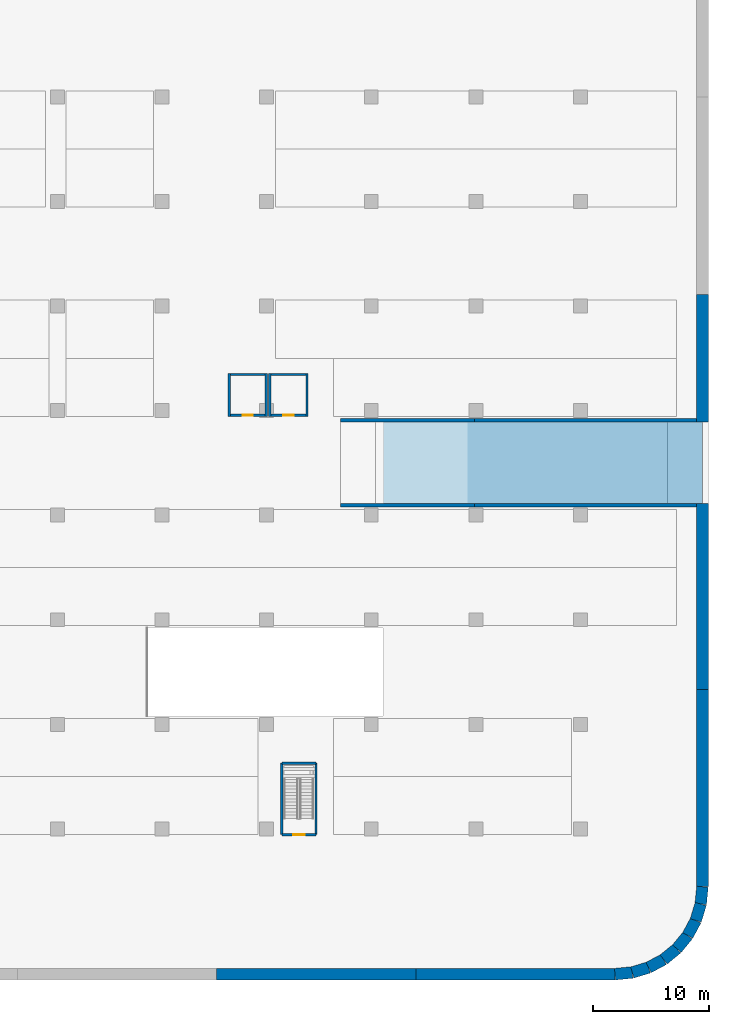
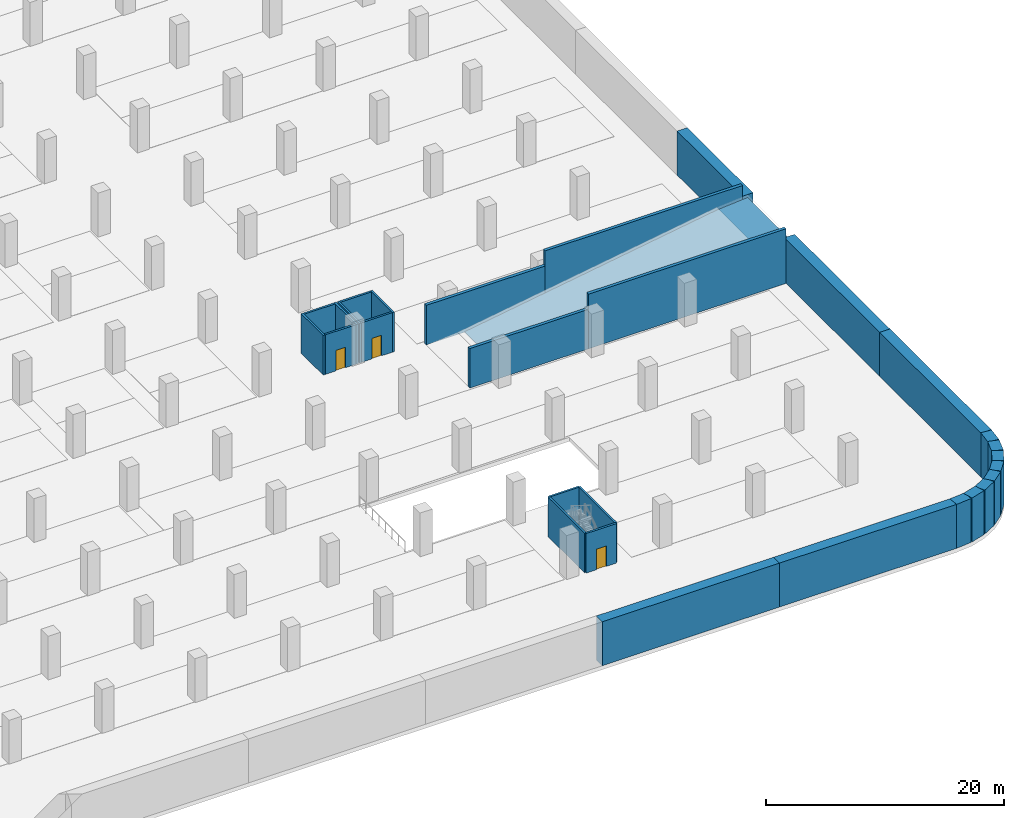
# One storey, part 13 of 34: 30 walls, 3 doors, 3 openings.
"""IFC4 building model written with IfcOpenShell, lengths in metres."""

from ifc_helpers import new_model, si_unit, direction, frame, frame_2d, origin, place, context, subcontext, project, spatial, polyline, rectangle, outline, extrude, material, layer, layer_set, type_object, element, fill, save


model = new_model("IFC4")

# Units and contexts
model_context = context("Model", 3, precision=1e-05, world=origin(), true_north=direction((0.0, 1.0)))
body_context = subcontext(model_context, "Body", "Model", "MODEL_VIEW")
ifc_project = project(units=[si_unit("LENGTHUNIT", "METRE"), si_unit("AREAUNIT", "SQUARE_METRE"), si_unit("VOLUMEUNIT", "CUBIC_METRE"), si_unit("PLANEANGLEUNIT", "RADIAN"), si_unit("MASSUNIT", "GRAM", prefix="KILO")], contexts=[model_context])

# Site, building, storey
site_placement = place(None, origin())
site = spatial("IfcSite", under=ifc_project, at=site_placement, CompositionType="ELEMENT")
building_placement = place(site_placement, origin())
building = spatial("IfcBuilding", under=site, at=building_placement, Name="Ogive Gate Towers", CompositionType="ELEMENT")
storey_placement = place(building_placement, frame((0.0, 0.0, -4.5)))
storey = spatial("IfcBuildingStorey", under=building, at=storey_placement, Name="B1", CompositionType="ELEMENT", Elevation=-4.5)

# Wall, opening, door
ifc_material_1 = material(Name="Reinforced concrete C32/40", Category="concrete")
ifc_layer_1 = layer(ifc_material_1, 0.199951171875)
ifc_layer_set_1 = layer_set([ifc_layer_1], Name="Car park stair shaft wall 200")
wall_type_1 = type_object("IfcWallType", Name="Car park stair shaft wall 200", PredefinedType="SOLIDWALL", material=ifc_layer_set_1)
wall_1_placement = place(storey_placement, frame((94.25, -63.5, 0.0), z_axis=(0.0, 0.0, 1.0), x_axis=(-1.0, 0.0, 0.0)))
wall_1 = element("IfcWall", 1, at=wall_1_placement, inside=storey, type_object=wall_type_1, Name="CS8 stair shaft wall B1 1", PredefinedType="SOLIDWALL", context=body_context, shape_type="SweptSolid", body=[
    extrude(rectangle(XDim=2.949951171875, YDim=0.199951171875, at=frame_2d((1.47509765625, 0.0))), origin(), (0.0, 0.0, 1.0), 4.050048828125),
])
opening_1_placement = place(wall_1_placement, frame((0.97509765625, 0.0, 0.0)))
opening_1 = element("IfcOpeningElement", 2, at=opening_1_placement, cuts=wall_1, Name="Opening CPD38-B1", PredefinedType="OPENING", context=body_context, shape_type="SweptSolid", body=[
    extrude(rectangle(XDim=1.0, YDim=2.10009765625, at=frame_2d((0.5, 1.050048828125))), frame((0.0, 0.10986328125, 0.0), z_axis=(0.0, -1.0, 0.0), x_axis=(1.0, 0.0, 0.0)), (0.0, 0.0, 1.0), 0.219970703125),
])
ifc_material_2 = material(Name="Painted steel door", Category="steel")
door_type_1 = type_object("IfcDoorType", Name="Stair house door 1000 x 2100", OperationType="SINGLE_SWING_LEFT", PredefinedType="DOOR", material=ifc_material_2)
door_1_placement = place(opening_1_placement, origin())
door_1 = element("IfcDoor", 3, at=door_1_placement, inside=storey, type_object=door_type_1, Name="Door CS8 stair B1", OperationType="SINGLE_SWING_LEFT", OverallHeight=2.10009765625, OverallWidth=1.0, PredefinedType="DOOR", context=body_context, shape_type="SweptSolid", body=[
    extrude(rectangle(XDim=1.0, YDim=2.10009765625, at=frame_2d((0.5, 1.050048828125))), frame((0.0, 0.02490234375, 0.0), z_axis=(0.0, -1.0, 0.0), x_axis=(1.0, 0.0, 0.0)), (0.0, 0.0, 1.0), 0.050048828125),
])
fill(opening_1, door_1)

# Walls
wall_2_placement = place(storey_placement, frame((91.300048828125, -63.5, 0.0), z_axis=(0.0, 0.0, 1.0), x_axis=(0.0, 1.0, 0.0)))
element("IfcWall", 4, at=wall_2_placement, inside=storey, type_object=wall_type_1, Name="CS8 stair shaft wall B1 2", PredefinedType="SOLIDWALL", context=body_context, shape_type="SweptSolid", body=[
    extrude(rectangle(XDim=6.159912109375, YDim=0.199951171875, at=frame_2d((3.080078125, 0.0))), origin(), (0.0, 0.0, 1.0), 4.050048828125),
])
wall_3_placement = place(storey_placement, frame((91.300048828125, -57.340087890625, 0.0), z_axis=(0.0, 0.0, 1.0), x_axis=(1.0, 0.0, 0.0)))
element("IfcWall", 5, at=wall_3_placement, inside=storey, type_object=wall_type_1, Name="CS8 stair shaft wall B1 3", PredefinedType="SOLIDWALL", context=body_context, shape_type="SweptSolid", body=[
    extrude(rectangle(XDim=2.949951171875, YDim=0.199951171875, at=frame_2d((1.47509765625, 0.0))), origin(), (0.0, 0.0, 1.0), 4.050048828125),
])
wall_4_placement = place(storey_placement, frame((94.25, -57.340087890625, 0.0), z_axis=(0.0, 0.0, 1.0), x_axis=(0.0, -1.0, 0.0)))
element("IfcWall", 6, at=wall_4_placement, inside=storey, type_object=wall_type_1, Name="CS8 stair shaft wall B1 4", PredefinedType="SOLIDWALL", context=body_context, shape_type="SweptSolid", body=[
    extrude(rectangle(XDim=6.159912109375, YDim=0.199951171875, at=frame_2d((3.080078125, 0.0))), origin(), (0.0, 0.0, 1.0), 4.050048828125),
])
ifc_material_3 = material(Name="Blockwork", Category="masonry")
ifc_layer_2 = layer(ifc_material_3, 0.199951171875)
ifc_layer_set_2 = layer_set([ifc_layer_2], Name="Plant room wall 200")
wall_type_2 = type_object("IfcWallType", Name="Plant room wall 200", PredefinedType="PARTITIONING", material=ifc_layer_set_2)
for number, where, z_axis, x_axis, name in (
    (7, (86.77490234375, -27.5, 0.0), (0.0, 0.0, 1.0), (0.0, 1.0, 0.0), "Plant room wall B1-016"),
    (8, (89.97509765625, -27.5, 0.0), (0.0, 0.0, 1.0), (0.0, 1.0, 0.0), "Plant room wall B1-017"),
    (9, (90.27490234375, -27.5, 0.0), (0.0, 0.0, 1.0), (0.0, 1.0, 0.0), "Plant room wall B1-018"),
    (10, (93.47509765625, -27.5, 0.0), (0.0, 0.0, 1.0), (0.0, 1.0, 0.0), "Plant room wall B1-020"),
):
    element("IfcWall", number, at=place(storey_placement, frame(where, z_axis=z_axis, x_axis=x_axis)), inside=storey, type_object=wall_type_2, Name=name, PredefinedType="PARTITIONING", context=body_context, shape_type="SweptSolid", body=[
        extrude(rectangle(XDim=3.699951171875, YDim=0.199951171875, at=frame_2d((1.85009765625, 0.0))), origin(), (0.0, 0.0, 1.0), 4.050048828125),
    ])

# Wall, opening, door
wall_5_placement = place(storey_placement, frame((86.875, -27.39990234375, 0.0), z_axis=(0.0, 0.0, 1.0), x_axis=(1.0, 0.0, 0.0)))
wall_5 = element("IfcWall", 11, at=wall_5_placement, inside=storey, type_object=wall_type_2, Name="Plant room wall B1-023", PredefinedType="PARTITIONING", context=body_context, shape_type="SweptSolid", body=[
    extrude(rectangle(XDim=3.0, YDim=0.199951171875, at=frame_2d((1.5, 0.0))), origin(), (0.0, 0.0, 1.0), 4.050048828125),
])
opening_2_placement = place(wall_5_placement, frame((1.050048828125, 0.0, 0.0)))
opening_2 = element("IfcOpeningElement", 12, at=opening_2_placement, cuts=wall_5, Name="Opening CPD112", PredefinedType="OPENING", context=body_context, shape_type="SweptSolid", body=[
    extrude(rectangle(XDim=0.89990234375, YDim=2.10009765625, at=frame_2d((0.449951171875, 1.050048828125))), frame((0.0, 0.10986328125, 0.0), z_axis=(0.0, -1.0, 0.0), x_axis=(1.0, 0.0, 0.0)), (0.0, 0.0, 1.0), 0.219970703125),
])
door_type_2 = type_object("IfcDoorType", Name="Fire door 900 x 2100", OperationType="SINGLE_SWING_LEFT", PredefinedType="DOOR", material=ifc_material_2)
door_2_placement = place(opening_2_placement, origin())
door_2 = element("IfcDoor", 13, at=door_2_placement, inside=storey, type_object=door_type_2, Name="Door CPD112", OperationType="SINGLE_SWING_RIGHT", OverallHeight=2.10009765625, OverallWidth=0.89990234375, PredefinedType="DOOR", context=body_context, shape_type="SweptSolid", body=[
    extrude(rectangle(XDim=0.89990234375, YDim=2.10009765625, at=frame_2d((0.449951171875, 1.050048828125))), frame((0.0, 0.02490234375, 0.0), z_axis=(0.0, -1.0, 0.0), x_axis=(1.0, 0.0, 0.0)), (0.0, 0.0, 1.0), 0.050048828125),
])
fill(opening_2, door_2)

wall_6_placement = place(storey_placement, frame((90.375, -27.39990234375, 0.0), z_axis=(0.0, 0.0, 1.0), x_axis=(1.0, 0.0, 0.0)))
wall_6 = element("IfcWall", 14, at=wall_6_placement, inside=storey, type_object=wall_type_2, Name="Plant room wall B1-024", PredefinedType="PARTITIONING", context=body_context, shape_type="SweptSolid", body=[
    extrude(rectangle(XDim=3.0, YDim=0.199951171875, at=frame_2d((1.5, 0.0))), origin(), (0.0, 0.0, 1.0), 4.050048828125),
])
opening_3_placement = place(wall_6_placement, frame((1.050048828125, 0.0, 0.0)))
opening_3 = element("IfcOpeningElement", 15, at=opening_3_placement, cuts=wall_6, Name="Opening CPD110", PredefinedType="OPENING", context=body_context, shape_type="SweptSolid", body=[
    extrude(rectangle(XDim=0.89990234375, YDim=2.10009765625, at=frame_2d((0.449951171875, 1.050048828125))), frame((0.0, 0.10986328125, 0.0), z_axis=(0.0, -1.0, 0.0), x_axis=(1.0, 0.0, 0.0)), (0.0, 0.0, 1.0), 0.219970703125),
])
door_3_placement = place(opening_3_placement, origin())
door_3 = element("IfcDoor", 16, at=door_3_placement, inside=storey, type_object=door_type_2, Name="Door CPD110", OperationType="SINGLE_SWING_RIGHT", OverallHeight=2.10009765625, OverallWidth=0.89990234375, PredefinedType="DOOR", context=body_context, shape_type="SweptSolid", body=[
    extrude(rectangle(XDim=0.89990234375, YDim=2.10009765625, at=frame_2d((0.449951171875, 1.050048828125))), frame((0.0, 0.02490234375, 0.0), z_axis=(0.0, -1.0, 0.0), x_axis=(1.0, 0.0, 0.0)), (0.0, 0.0, 1.0), 0.050048828125),
])
fill(opening_3, door_3)

# Walls
for number, where, z_axis, x_axis, name in (
    (17, (86.875, -23.89990234375, 0.0), (0.0, 0.0, 1.0), (1.0, 0.0, 0.0), "Plant room wall B1-025"),
    (18, (90.375, -23.89990234375, 0.0), (0.0, 0.0, 1.0), (1.0, 0.0, 0.0), "Plant room wall B1-026"),
):
    element("IfcWall", number, at=place(storey_placement, frame(where, z_axis=z_axis, x_axis=x_axis)), inside=storey, type_object=wall_type_2, Name=name, PredefinedType="PARTITIONING", context=body_context, shape_type="SweptSolid", body=[
        extrude(rectangle(XDim=3.0, YDim=0.199951171875, at=frame_2d((1.5, 0.0))), origin(), (0.0, 0.0, 1.0), 4.050048828125),
    ])
ifc_material_4 = material(Name="Concrete C32/40", Category="concrete")
ifc_layer_3 = layer(ifc_material_4, 7.0)
ifc_layer_set_3 = layer_set([ifc_layer_3], Name="Ramp bed 7000")
wall_type_3 = type_object("IfcWallType", Name="Ramp bed 7000", PredefinedType="SOLIDWALL", material=ifc_layer_set_3)
wall_7_placement = place(storey_placement, frame((100.0625, -31.5, 0.0), z_axis=(0.0, 0.0, 1.0), x_axis=(1.0, 0.0, 0.0)))
element("IfcWall", 19, at=wall_7_placement, inside=storey, type_object=wall_type_3, Name="Grade car ramp east bed", PredefinedType="SOLIDWALL", context=body_context, shape_type="SweptSolid", body=[
    extrude(outline(polyline([(0.0, 0.0), (27.4375, 0.0), (27.4375, 4.199951171875), (24.4375, 3.9599609375), (0.0, 0.050048828125), (0.0, 0.0)])), frame((0.0, 3.5, 0.0), z_axis=(0.0, -1.0, 0.0), x_axis=(1.0, 0.0, 0.0)), (0.0, 0.0, 1.0), 7.0),
])
ifc_layer_4 = layer(ifc_material_4, 0.300048828125)
ifc_layer_set_4 = layer_set([ifc_layer_4], Name="Ramp wall 300")
wall_type_4 = type_object("IfcWallType", Name="Ramp wall 300", PredefinedType="SOLIDWALL", material=ifc_layer_set_4)
for number, where, z_axis, x_axis, name in (
    (20, (96.375, -35.14990234375, 0.0), (0.0, 0.0, 1.0), (1.0, 0.0, 0.0), "Ramp wall 01"),
    (21, (96.375, -27.85009765625, 0.0), (0.0, 0.0, 1.0), (1.0, 0.0, 0.0), "Ramp wall 02"),
):
    element("IfcWall", number, at=place(storey_placement, frame(where, z_axis=z_axis, x_axis=x_axis)), inside=storey, type_object=wall_type_4, Name=name, PredefinedType="SOLIDWALL", context=body_context, shape_type="SweptSolid", body=[
        extrude(rectangle(XDim=11.5, YDim=0.300048828125, at=frame_2d((5.75, 0.0))), origin(), (0.0, 0.0, 1.0), 4.050048828125),
    ])
for number, where, z_axis, x_axis, name in (
    (22, (107.875, -35.14990234375, 0.0), (0.0, 0.0, 1.0), (1.0, 0.0, 0.0), "Ramp wall 03"),
    (23, (107.875, -27.85009765625, 0.0), (0.0, 0.0, 1.0), (1.0, 0.0, 0.0), "Ramp wall 04"),
):
    element("IfcWall", number, at=place(storey_placement, frame(where, z_axis=z_axis, x_axis=x_axis)), inside=storey, type_object=wall_type_4, Name=name, PredefinedType="SOLIDWALL", context=body_context, shape_type="SweptSolid", body=[
        extrude(rectangle(XDim=19.125, YDim=0.300048828125, at=frame_2d((9.5625, 0.0))), origin(), (0.0, 0.0, 1.0), 5.60009765625),
    ])
ifc_material_5 = material(Name="Concrete C40/50", Category="concrete")
ifc_layer_5 = layer(ifc_material_5, 1.0)
ifc_layer_set_5 = layer_set([ifc_layer_5], Name="Retaining wall 1000")
wall_type_5 = type_object("IfcWallType", Name="Retaining wall 1000", PredefinedType="SOLIDWALL", material=ifc_layer_set_5)
wall_8_placement = place(storey_placement, frame((119.975341796875, -75.5, 0.0), z_axis=(0.0, 0.0, 1.0), x_axis=(-1.0, 0.0, 0.0)))
element("IfcWall", 24, at=wall_8_placement, inside=storey, type_object=wall_type_5, Name="BS/B1/SWL001", PredefinedType="SOLIDWALL", context=body_context, shape_type="SweptSolid", body=[
    extrude(rectangle(XDim=17.13916015625, YDim=1.0, at=frame_2d((8.569580078125, 0.0))), origin(), (0.0, 0.0, 1.0), 4.5),
])
wall_9_placement = place(storey_placement, frame((102.836181640625, -75.5, 0.0), z_axis=(0.0, 0.0, 1.0), x_axis=(-1.0, 0.0, 0.0)))
element("IfcWall", 25, at=wall_9_placement, inside=storey, type_object=wall_type_5, Name="BS/B1/SWL002", PredefinedType="SOLIDWALL", context=body_context, shape_type="SweptSolid", body=[
    extrude(rectangle(XDim=17.139404296875, YDim=1.0, at=frame_2d((8.56982421875, 0.0))), origin(), (0.0, 0.0, 1.0), 4.5),
])
wall_10_placement = place(storey_placement, frame((127.5, -16.993896484375, 0.0), z_axis=(0.0, 0.0, 1.0), x_axis=(0.0, -1.0, 0.0)))
element("IfcWall", 26, at=wall_10_placement, inside=storey, type_object=wall_type_5, Name="BS/B1/SWL067", PredefinedType="SOLIDWALL", context=body_context, shape_type="SweptSolid", body=[
    extrude(rectangle(XDim=11.006103515625, YDim=1.0, at=frame_2d((5.5029296875, 0.0))), origin(), (0.0, 0.0, 1.0), 4.5),
])
wall_11_placement = place(storey_placement, frame((127.5, -35.0, 0.0), z_axis=(0.0, 0.0, 1.0), x_axis=(0.0, -1.0, 0.0)))
element("IfcWall", 27, at=wall_11_placement, inside=storey, type_object=wall_type_5, Name="BS/B1/SWL068", PredefinedType="SOLIDWALL", context=body_context, shape_type="SweptSolid", body=[
    extrude(rectangle(XDim=15.981689453125, YDim=1.0, at=frame_2d((7.99072265625, 0.0))), origin(), (0.0, 0.0, 1.0), 4.5),
])
wall_12_placement = place(storey_placement, frame((127.5, -50.981689453125, 0.0), z_axis=(0.0, 0.0, 1.0), x_axis=(0.0, -1.0, 0.0)))
element("IfcWall", 28, at=wall_12_placement, inside=storey, type_object=wall_type_5, Name="BS/B1/SWL069", PredefinedType="SOLIDWALL", context=body_context, shape_type="SweptSolid", body=[
    extrude(rectangle(XDim=16.99365234375, YDim=1.0, at=frame_2d((8.496826171875, 0.0))), origin(), (0.0, 0.0, 1.0), 4.5),
])
wall_13_placement = place(storey_placement, frame((127.5, -67.975341796875, 0.0), z_axis=(0.0, 0.0, 1.0), x_axis=(-0.098015582414, -0.995184880112, 0.0)))
element("IfcWall", 29, at=wall_13_placement, inside=storey, type_object=wall_type_5, Name="BS/B1/SWL070", PredefinedType="SOLIDWALL", context=body_context, shape_type="SweptSolid", body=[
    extrude(rectangle(XDim=1.494384765625, YDim=1.0, at=frame_2d((0.7470703125, 0.0))), origin(), (0.0, 0.0, 1.0), 4.5),
])
for number, where, z_axis, x_axis, name in (
    (30, (127.353515625, -69.462646484375, 0.0), (0.0, 0.0, 1.0), (-0.290348524206, -0.956920965645, 0.0), "BS/B1/SWL071"),
    (31, (126.9267578125, -70.869140625, 0.0), (0.0, 0.0, 1.0), (-0.471234704339, -0.882007853381, 0.0), "BS/B1/SWL072"),
    (32, (126.234130859375, -72.16552734375, 0.0), (0.0, 0.0, 1.0), (-0.634530405868, -0.772897900132, 0.0), "BS/B1/SWL073"),
    (33, (125.301513671875, -73.301513671875, 0.0), (0.0, 0.0, 1.0), (-0.772897900132, -0.634530405868, 0.0), "BS/B1/SWL074"),
    (34, (124.16552734375, -74.234130859375, 0.0), (0.0, 0.0, 1.0), (-0.882007853381, -0.471234704339, 0.0), "BS/B1/SWL075"),
    (35, (122.869140625, -74.9267578125, 0.0), (0.0, 0.0, 1.0), (-0.956920965645, -0.290348524206, 0.0), "BS/B1/SWL076"),
):
    element("IfcWall", number, at=place(storey_placement, frame(where, z_axis=z_axis, x_axis=x_axis)), inside=storey, type_object=wall_type_5, Name=name, PredefinedType="SOLIDWALL", context=body_context, shape_type="SweptSolid", body=[
        extrude(rectangle(XDim=1.4697265625, YDim=1.0, at=frame_2d((0.73486328125, 0.0))), origin(), (0.0, 0.0, 1.0), 4.5),
    ])
wall_14_placement = place(storey_placement, frame((121.462646484375, -75.353515625, 0.0), z_axis=(0.0, 0.0, 1.0), x_axis=(-0.995184880112, -0.098015582414, 0.0)))
element("IfcWall", 36, at=wall_14_placement, inside=storey, type_object=wall_type_5, Name="BS/B1/SWL077", PredefinedType="SOLIDWALL", context=body_context, shape_type="SweptSolid", body=[
    extrude(rectangle(XDim=1.494384765625, YDim=1.0, at=frame_2d((0.7470703125, 0.0))), origin(), (0.0, 0.0, 1.0), 4.5),
])

save(model, "model.ifc")
